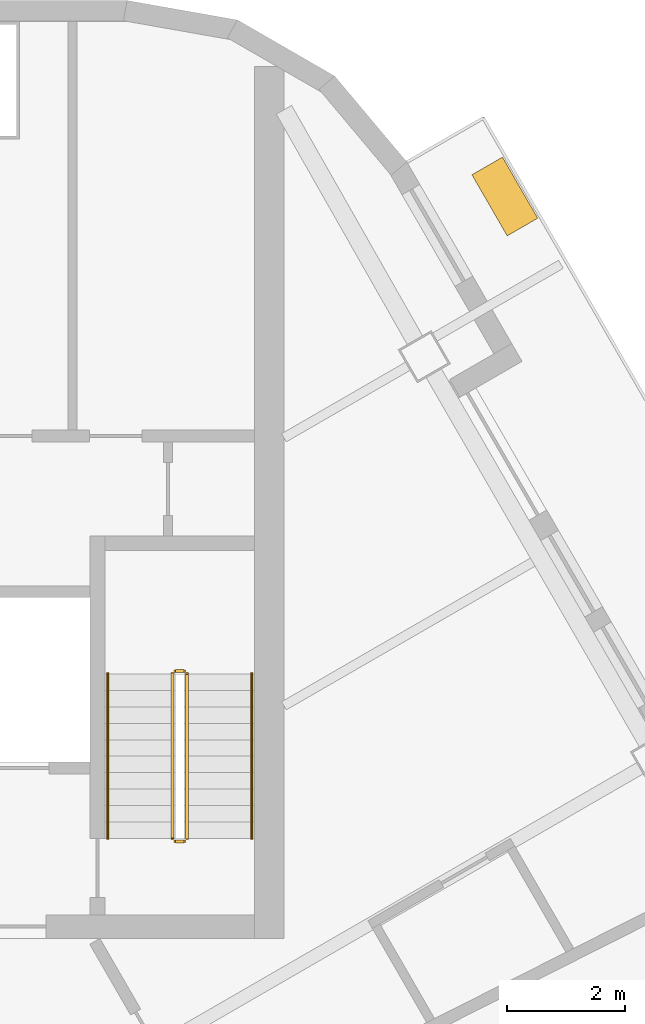
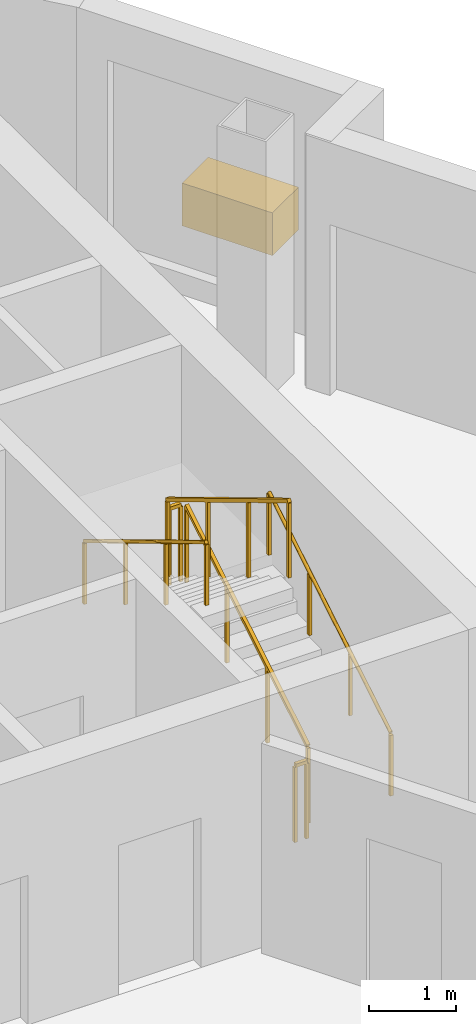
# One storey, part 14 of 14: 6 railings, 1 covering.
"""IFC4 building model written with IfcOpenShell, lengths in metres."""

from ifc_helpers import new_model, si_unit, direction, frame, origin, origin_2d, place, context, subcontext, project, spatial, rectangle, circle, extrude, material, type_object, element, save


model = new_model("IFC4")

# Units and contexts
model_context = context("Model", 3, precision=1e-05, world=origin(), true_north=direction((0.0, 1.0)))
body_context = subcontext(model_context, "Body", "Model", "MODEL_VIEW")
ifc_project = project(units=[si_unit("LENGTHUNIT", "METRE"), si_unit("AREAUNIT", "SQUARE_METRE"), si_unit("VOLUMEUNIT", "CUBIC_METRE"), si_unit("PLANEANGLEUNIT", "RADIAN"), si_unit("MASSUNIT", "GRAM", prefix="KILO")], contexts=[model_context])

# Site, building, storey
site_placement = place(None, origin())
site = spatial("IfcSite", under=ifc_project, at=site_placement, CompositionType="ELEMENT")
building_placement = place(site_placement, origin())
building = spatial("IfcBuilding", under=site, at=building_placement, Name="Apuvela Tower Hotel", CompositionType="ELEMENT")
storey_placement = place(building_placement, frame((0.0, 0.0, 250.39990234375)))
storey = spatial("IfcBuildingStorey", under=building, at=storey_placement, Name="L61", CompositionType="ELEMENT", Elevation=250.39990234375)

# Railings
ifc_material_1 = material(Name="Steel S275 balustrade", Category="steel")
railing_type_1 = type_object("IfcRailingType", Name="COR-GUARD-1100", PredefinedType="GUARDRAIL", material=ifc_material_1)
railing_1_placement = place(storey_placement, frame((3.85009765625, 14.60009765625, 0.168212890625)))
element("IfcRailing", 1, at=railing_1_placement, inside=storey, type_object=railing_type_1, Name="L61 ST1 stair guard 1", PredefinedType="GUARDRAIL", context=body_context, shape_type="SweptSolid", body=[
    extrude(rectangle(XDim=0.048095703125, YDim=0.048095703125, at=origin_2d()), frame((0.0, 0.0, 1.076171875), z_axis=(0.0, 0.857222391501, 0.514946377315), x_axis=(-1.0, 0.0, 0.0)), (0.0, 0.0, 1.0), 3.26611328125),
    extrude(rectangle(XDim=0.0419921875, YDim=0.0419921875, at=origin_2d()), origin(), (0.0, 0.0, 1.0), 1.052001953125),
    extrude(rectangle(XDim=0.0419921875, YDim=0.0419921875, at=origin_2d()), frame((0.0, 0.933349609375, 0.560546875)), (0.0, 0.0, 1.0), 1.052001953125),
    extrude(rectangle(XDim=0.0419921875, YDim=0.0419921875, at=origin_2d()), frame((0.0, 1.866455078125, 1.121337890625)), (0.0, 0.0, 1.0), 1.052001953125),
    extrude(rectangle(XDim=0.0419921875, YDim=0.0419921875, at=origin_2d()), frame((0.0, 2.7998046875, 1.681884765625)), (0.0, 0.0, 1.0), 1.052001953125),
])
railing_2_placement = place(storey_placement, frame((3.800048828125, 17.449951171875, 1.85009765625)))
element("IfcRailing", 2, at=railing_2_placement, inside=storey, type_object=railing_type_1, Name="L61 ST1 stair guard 2", PredefinedType="GUARDRAIL", context=body_context, shape_type="SweptSolid", body=[
    extrude(rectangle(XDim=0.048095703125, YDim=0.048095703125, at=origin_2d()), frame((0.0, 0.0, 1.076171875), z_axis=(-1.0, 0.0, 0.0), x_axis=(0.0, -1.0, 0.0)), (0.0, 0.0, 1.0), 0.150146484375),
    extrude(rectangle(XDim=0.0419921875, YDim=0.0419921875, at=origin_2d()), origin(), (0.0, 0.0, 1.0), 1.052001953125),
    extrude(rectangle(XDim=0.0419921875, YDim=0.0419921875, at=origin_2d()), frame((-0.150146484375, 0.0, 0.0)), (0.0, 0.0, 1.0), 1.052001953125),
])
railing_3_placement = place(storey_placement, frame((3.60009765625, 17.39990234375, 2.018310546875)))
element("IfcRailing", 3, at=railing_3_placement, inside=storey, type_object=railing_type_1, Name="L61 ST1 stair guard 3", PredefinedType="GUARDRAIL", context=body_context, shape_type="SweptSolid", body=[
    extrude(rectangle(XDim=0.048095703125, YDim=0.048095703125, at=origin_2d()), frame((0.0, 0.0, 1.076171875), z_axis=(0.0, -0.857222391501, 0.514946377315), x_axis=(1.0, 0.0, 0.0)), (0.0, 0.0, 1.0), 3.26611328125),
    extrude(rectangle(XDim=0.0419921875, YDim=0.0419921875, at=origin_2d()), origin(), (0.0, 0.0, 1.0), 1.052001953125),
    extrude(rectangle(XDim=0.0419921875, YDim=0.0419921875, at=origin_2d()), frame((0.0, -0.933349609375, 0.560546875)), (0.0, 0.0, 1.0), 1.052001953125),
    extrude(rectangle(XDim=0.0419921875, YDim=0.0419921875, at=origin_2d()), frame((0.0, -1.866455078125, 1.121337890625)), (0.0, 0.0, 1.0), 1.052001953125),
    extrude(rectangle(XDim=0.0419921875, YDim=0.0419921875, at=origin_2d()), frame((0.0, -2.7998046875, 1.681884765625)), (0.0, 0.0, 1.0), 1.052001953125),
])
railing_4_placement = place(storey_placement, frame((3.800048828125, 14.550048828125, 0.0)))
element("IfcRailing", 4, at=railing_4_placement, inside=storey, type_object=railing_type_1, Name="L61 ST1 stair guard 4", PredefinedType="GUARDRAIL", context=body_context, shape_type="SweptSolid", body=[
    extrude(rectangle(XDim=0.048095703125, YDim=0.048095703125, at=origin_2d()), frame((0.0, 0.0, 1.076171875), z_axis=(-1.0, 0.0, 0.0), x_axis=(0.0, -1.0, 0.0)), (0.0, 0.0, 1.0), 0.150146484375),
    extrude(rectangle(XDim=0.0419921875, YDim=0.0419921875, at=origin_2d()), origin(), (0.0, 0.0, 1.0), 1.052001953125),
    extrude(rectangle(XDim=0.0419921875, YDim=0.0419921875, at=origin_2d()), frame((-0.150146484375, 0.0, 0.0)), (0.0, 0.0, 1.0), 1.052001953125),
])
ifc_material_2 = material(Name="Stainless steel 316 handrail", Category="steel")
railing_type_2 = type_object("IfcRailingType", Name="COR-HANDRAIL-900", PredefinedType="HANDRAIL", material=ifc_material_2)
railing_5_placement = place(storey_placement, frame((4.949951171875, 14.60009765625, 0.168212890625)))
element("IfcRailing", 5, at=railing_5_placement, inside=storey, type_object=railing_type_2, Name="L61 ST1 stair handrail 1", PredefinedType="HANDRAIL", context=body_context, shape_type="SweptSolid", body=[
    extrude(circle(Radius=0.02392578125, at=origin_2d()), frame((0.0, 0.0, 0.8759765625), z_axis=(0.0, 0.857222391501, 0.514946377315), x_axis=(-1.0, 0.0, 0.0)), (0.0, 0.0, 1.0), 3.26611328125),
    extrude(rectangle(XDim=0.0419921875, YDim=0.0419921875, at=origin_2d()), origin(), (0.0, 0.0, 1.0), 0.851806640625),
    extrude(rectangle(XDim=0.0419921875, YDim=0.0419921875, at=origin_2d()), frame((0.0, 0.933349609375, 0.560546875)), (0.0, 0.0, 1.0), 0.851806640625),
    extrude(rectangle(XDim=0.0419921875, YDim=0.0419921875, at=origin_2d()), frame((0.0, 1.866455078125, 1.121337890625)), (0.0, 0.0, 1.0), 0.851806640625),
    extrude(rectangle(XDim=0.0419921875, YDim=0.0419921875, at=origin_2d()), frame((0.0, 2.7998046875, 1.681884765625)), (0.0, 0.0, 1.0), 0.851806640625),
])
railing_6_placement = place(storey_placement, frame((2.5, 17.39990234375, 2.018310546875)))
element("IfcRailing", 6, at=railing_6_placement, inside=storey, type_object=railing_type_2, Name="L61 ST1 stair handrail 2", PredefinedType="HANDRAIL", context=body_context, shape_type="SweptSolid", body=[
    extrude(circle(Radius=0.02392578125, at=origin_2d()), frame((0.0, 0.0, 0.8759765625), z_axis=(0.0, -0.857222391501, 0.514946377315), x_axis=(1.0, 0.0, 0.0)), (0.0, 0.0, 1.0), 3.26611328125),
    extrude(rectangle(XDim=0.0419921875, YDim=0.0419921875, at=origin_2d()), origin(), (0.0, 0.0, 1.0), 0.851806640625),
    extrude(rectangle(XDim=0.0419921875, YDim=0.0419921875, at=origin_2d()), frame((0.0, -0.933349609375, 0.560546875)), (0.0, 0.0, 1.0), 0.851806640625),
    extrude(rectangle(XDim=0.0419921875, YDim=0.0419921875, at=origin_2d()), frame((0.0, -1.866455078125, 1.121337890625)), (0.0, 0.0, 1.0), 0.851806640625),
    extrude(rectangle(XDim=0.0419921875, YDim=0.0419921875, at=origin_2d()), frame((0.0, -2.7998046875, 1.681884765625)), (0.0, 0.0, 1.0), 0.851806640625),
])

# Covering
ifc_material_3 = material(Name="Planting substrate and soil, planted")
covering_type = type_object("IfcCoveringType", Name="ENV-PLANTER-1200x600", PredefinedType="USERDEFINED", material=ifc_material_3)
covering_placement = place(storey_placement, frame((9.2578125, 25.52490234375, 0.0), z_axis=(0.0, 0.0, 1.0), x_axis=(-0.5, 0.866025403784, 0.0)))
element("IfcCovering", 7, at=covering_placement, inside=storey, type_object=covering_type, Name="Planter NE4", ObjectType="PLANTER", PredefinedType="USERDEFINED", context=body_context, shape_type="SweptSolid", body=[
    extrude(rectangle(XDim=1.199951171875, YDim=0.60009765625, at=origin_2d()), origin(), (0.0, 0.0, 1.0), 0.60009765625),
])

save(model, "model.ifc")
